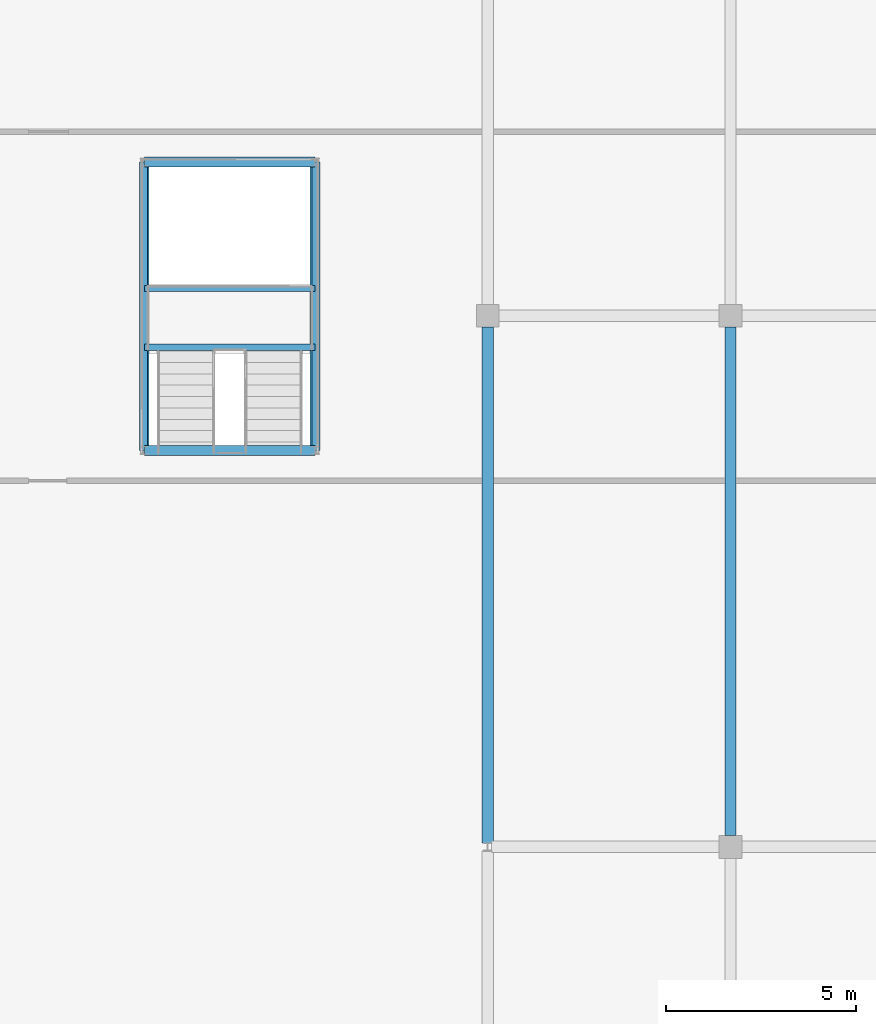
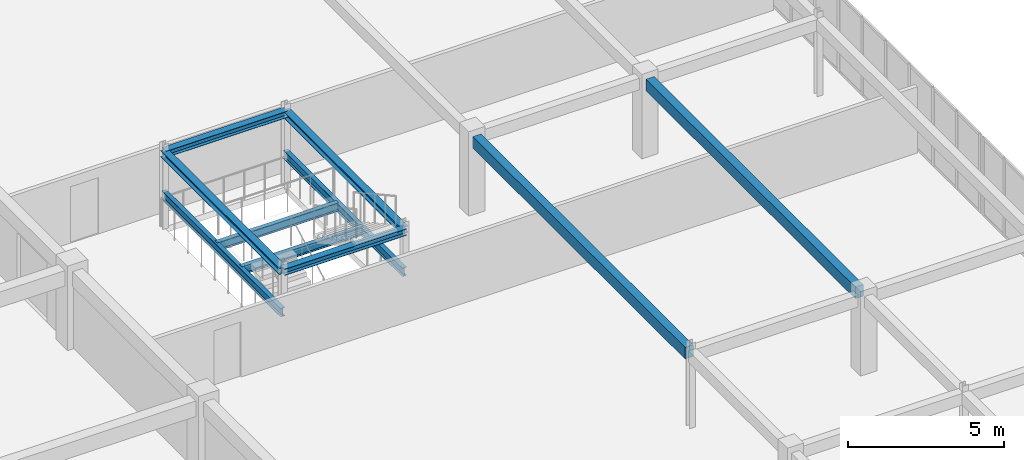
# One storey, part 72 of 200: 10 beams.
"""IFC4 building model written with IfcOpenShell, lengths in metres."""

from ifc_helpers import new_model, si_unit, direction, frame, origin, origin_2d, place, context, subcontext, project, spatial, rectangle, i_section, extrude, material, material_profile, profile_set, type_object, element, save


model = new_model("IFC4")

# Units and contexts
model_context = context("Model", 3, precision=1e-05, world=origin(), true_north=direction((0.0, 1.0)))
body_context = subcontext(model_context, "Body", "Model", "MODEL_VIEW")
ifc_project = project(units=[si_unit("LENGTHUNIT", "METRE"), si_unit("AREAUNIT", "SQUARE_METRE"), si_unit("VOLUMEUNIT", "CUBIC_METRE"), si_unit("PLANEANGLEUNIT", "RADIAN"), si_unit("MASSUNIT", "GRAM", prefix="KILO")], contexts=[model_context])

# Site, building, storey
site_placement = place(None, origin())
site = spatial("IfcSite", under=ifc_project, at=site_placement, CompositionType="ELEMENT")
building_placement = place(site_placement, origin())
building = spatial("IfcBuilding", under=site, at=building_placement, Name="Trelvath General Hospital", CompositionType="ELEMENT")
storey_placement = place(building_placement, frame((0.0, 0.0, 4.800048828125)))
storey = spatial("IfcBuildingStorey", under=building, at=storey_placement, Name="L01", CompositionType="ELEMENT", Elevation=4.800048828125)

# Beams
ifc_material_1 = material(Name="Concrete C35/45", Category="concrete")
ifc_material_profile_1 = material_profile(ifc_material_1, rectangle(XDim=0.300048828125, YDim=0.449951171875, at=origin_2d()), Name="RCB300x450")
ifc_profile_set_1 = profile_set([ifc_material_profile_1], Name="Concrete C35/45")
beam_type_1 = type_object("IfcBeamType", Name="Beam RC300x450", PredefinedType="BEAM", material=ifc_profile_set_1)
beam_1_placement = place(storey_placement, frame((107.199951171875, 44.906005859375, 2.8349609375), z_axis=(0.0, 1.0, 0.0), x_axis=(-1.0, 0.0, 0.0)))
element("IfcBeam", 1, at=beam_1_placement, inside=storey, type_object=beam_type_1, Name="Cube Interior Ring Beam CUBE-E-T0 L01", PredefinedType="BEAM", context=body_context, shape_type="SweptSolid", body=[
    extrude(rectangle(XDim=0.300048828125, YDim=0.449951171875, at=origin_2d()), origin(), (0.0, 0.0, 1.0), 13.597900390625),
])
beam_2_placement = place(storey_placement, frame((113.60009765625, 45.095947265625, 2.8349609375), z_axis=(0.0, 1.0, 0.0), x_axis=(-1.0, 0.0, 0.0)))
element("IfcBeam", 2, at=beam_2_placement, inside=storey, type_object=beam_type_1, Name="Cube Interior Ring Beam CUBE-E-T0 L01", PredefinedType="BEAM", context=body_context, shape_type="SweptSolid", body=[
    extrude(rectangle(XDim=0.300048828125, YDim=0.449951171875, at=origin_2d()), origin(), (0.0, 0.0, 1.0), 13.407958984375),
])
ifc_material_2 = material(Name="Steel S355", Category="steel")
ifc_material_profile_2 = material_profile(ifc_material_2, i_section(OverallWidth=0.260009765625, OverallDepth=0.25, WebThickness=0.007568359375, FlangeThickness=0.012451171875, at=origin_2d()), Name="HEA260")
ifc_profile_set_2 = profile_set([ifc_material_profile_2], Name="Steel S355")
beam_type_2 = type_object("IfcBeamType", Name="RingBeam HEA260", PredefinedType="BEAM", material=ifc_profile_set_2)
for number, where, z_axis, x_axis, name in (
    (3, (98.14990234375, 55.25, 2.9150390625), (1.0, 0.0, 0.0), (0.0, 1.0, 0.0), "Atrium Ring Beam CUBE-E S L01"),
    (4, (98.14990234375, 62.85009765625, 2.9150390625), (1.0, 0.0, 0.0), (0.0, 1.0, 0.0), "Atrium Ring Beam CUBE-E N L01"),
):
    element("IfcBeam", number, at=place(storey_placement, frame(where, z_axis=z_axis, x_axis=x_axis)), inside=storey, type_object=beam_type_2, Name=name, PredefinedType="BEAM", context=body_context, shape_type="SweptSolid", body=[
        extrude(i_section(OverallWidth=0.260009765625, OverallDepth=0.25, WebThickness=0.007568359375, FlangeThickness=0.012451171875, at=origin_2d()), origin(), (0.0, 0.0, 1.0), 4.5),
    ])
for number, where, z_axis, x_axis, name in (
    (5, (98.14990234375, 55.25, 2.9150390625), (0.0, 1.0, 0.0), (-1.0, 0.0, 0.0), "Atrium Ring Beam CUBE-E W L01"),
    (6, (102.64990234375, 55.25, 2.9150390625), (0.0, 1.0, 0.0), (-1.0, 0.0, 0.0), "Atrium Ring Beam CUBE-E E L01"),
):
    element("IfcBeam", number, at=place(storey_placement, frame(where, z_axis=z_axis, x_axis=x_axis)), inside=storey, type_object=beam_type_2, Name=name, PredefinedType="BEAM", context=body_context, shape_type="SweptSolid", body=[
        extrude(i_section(OverallWidth=0.260009765625, OverallDepth=0.25, WebThickness=0.007568359375, FlangeThickness=0.012451171875, at=origin_2d()), origin(), (0.0, 0.0, 1.0), 7.60009765625),
    ])
ifc_material_3 = material(Name="Steel S355", Category="steel")
ifc_material_profile_3 = material_profile(ifc_material_3, i_section(OverallWidth=0.159912109375, OverallDepth=0.330078125, WebThickness=0.007568359375, FlangeThickness=0.011474609375, at=origin_2d()), Name="IPE330")
ifc_profile_set_3 = profile_set([ifc_material_profile_3], Name="Steel S355")
beam_type_3 = type_object("IfcBeamType", Name="StairLandingBeam IPE330", PredefinedType="BEAM", material=ifc_profile_set_3)
for number, where, z_axis, x_axis, name in (
    (7, (98.14990234375, 55.25, 1.284912109375), (0.0, 1.0, 0.0), (-1.0, 0.0, 0.0), "Cube Stair Stringer Beam CUBE-E W L01"),
    (8, (102.64990234375, 55.25, 1.284912109375), (0.0, 1.0, 0.0), (-1.0, 0.0, 0.0), "Cube Stair Stringer Beam CUBE-E E L01"),
):
    element("IfcBeam", number, at=place(storey_placement, frame(where, z_axis=z_axis, x_axis=x_axis)), inside=storey, type_object=beam_type_3, Name=name, PredefinedType="BEAM", context=body_context, shape_type="SweptSolid", body=[
        extrude(i_section(OverallWidth=0.159912109375, OverallDepth=0.330078125, WebThickness=0.007568359375, FlangeThickness=0.011474609375, at=origin_2d()), origin(), (0.0, 0.0, 1.0), 7.60009765625),
    ])
for number, where, z_axis, x_axis, name in (
    (9, (98.14990234375, 57.969970703125, 1.284912109375), (1.0, 0.0, 0.0), (0.0, 1.0, 0.0), "Cube Landing Cross Beam CUBE-E S L01"),
    (10, (98.14990234375, 59.52001953125, 1.284912109375), (1.0, 0.0, 0.0), (0.0, 1.0, 0.0), "Cube Landing Cross Beam CUBE-E N L01"),
):
    element("IfcBeam", number, at=place(storey_placement, frame(where, z_axis=z_axis, x_axis=x_axis)), inside=storey, type_object=beam_type_3, Name=name, PredefinedType="BEAM", context=body_context, shape_type="SweptSolid", body=[
        extrude(i_section(OverallWidth=0.159912109375, OverallDepth=0.330078125, WebThickness=0.007568359375, FlangeThickness=0.011474609375, at=origin_2d()), origin(), (0.0, 0.0, 1.0), 4.5),
    ])

save(model, "model.ifc")
